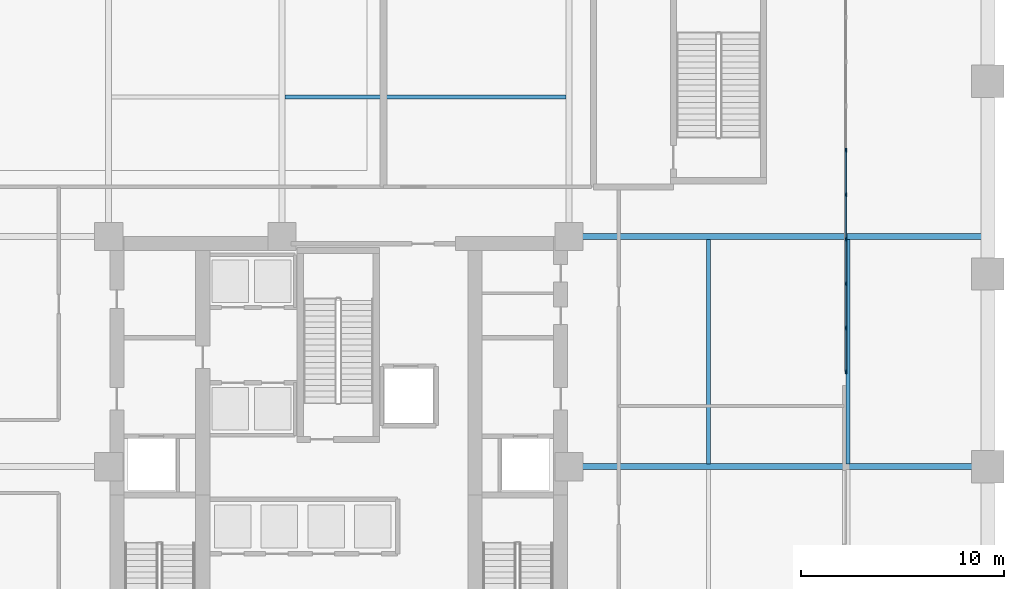
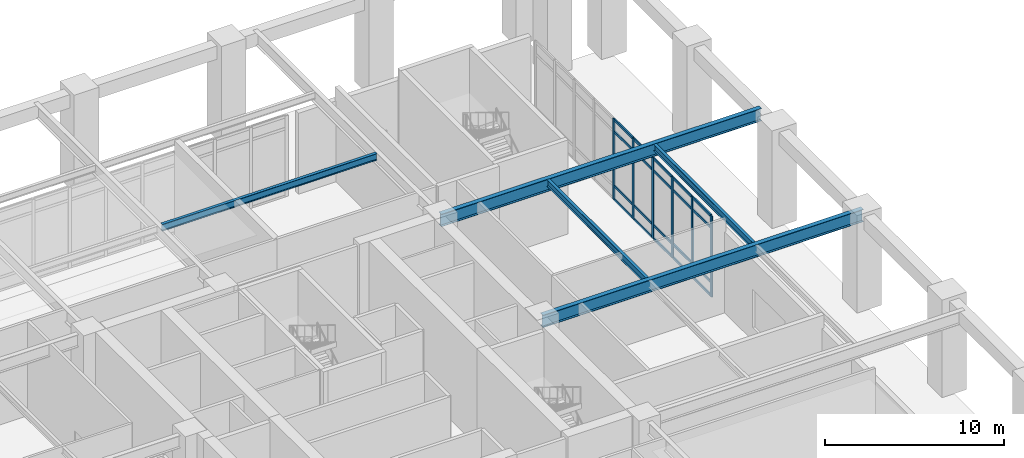
# One storey, part 5 of 17: 26 members, 5 beams, 1 element without a shape of its own.
"""IFC4 building model written with IfcOpenShell, lengths in metres."""

from ifc_helpers import new_model, si_unit, direction, frame, origin, origin_2d, place, context, subcontext, project, spatial, rectangle, i_section, extrude, material, layer, layer_set, material_profile, profile_set, type_object, element, aggregate, save


model = new_model("IFC4")

# Units and contexts
model_context = context("Model", 3, precision=1e-05, world=origin(), true_north=direction((0.0, 1.0)))
body_context = subcontext(model_context, "Body", "Model", "MODEL_VIEW")
ifc_project = project(units=[si_unit("LENGTHUNIT", "METRE"), si_unit("AREAUNIT", "SQUARE_METRE"), si_unit("VOLUMEUNIT", "CUBIC_METRE"), si_unit("PLANEANGLEUNIT", "RADIAN"), si_unit("MASSUNIT", "GRAM", prefix="KILO")], contexts=[model_context])

# Site, building, storey
site_placement = place(None, origin())
site = spatial("IfcSite", under=ifc_project, at=site_placement, CompositionType="ELEMENT")
building_placement = place(site_placement, origin())
building = spatial("IfcBuilding", under=site, at=building_placement, Name="Nhamokura Convention Tower", CompositionType="ELEMENT")
storey_placement = place(building_placement, origin())
storey = spatial("IfcBuildingStorey", under=building, at=storey_placement, Name="L00", CompositionType="ELEMENT", Elevation=0.0)

# Curtain wall, members
ifc_material_1 = material(Name="Anodised bronze aluminium AA6063-T6", Category="aluminium")
ifc_layer = layer(ifc_material_1, 0.179931640625)
ifc_layer_set = layer_set([ifc_layer], Name="CWSystem_PodiumConcourse")
curtain_wall_type = type_object("IfcCurtainWallType", Name="CWSystem_PodiumConcourse", PredefinedType="NOTDEFINED", material=ifc_layer_set)
curtain_wall_placement = place(storey_placement, origin())
curtain_wall = element("IfcCurtainWall", 1, at=curtain_wall_placement, inside=storey, type_object=curtain_wall_type, Name="L00 Curtain Wall ENV-L00-CW-EN", PredefinedType="NOTDEFINED")
ifc_material_2 = material(Name="Anodised bronze aluminium AA6063-T6", Category="aluminium")
ifc_material_profile_1 = material_profile(ifc_material_2, rectangle(XDim=0.077880859375, YDim=0.201904296875, at=origin_2d()))
ifc_profile_set_1 = profile_set([ifc_material_profile_1], Name="Anodised bronze aluminium AA6063-T6")
member_type_1 = type_object("IfcMemberType", Name="CWMullion_1", PredefinedType="MULLION", material=ifc_profile_set_1)
member_1_placement = place(storey_placement, frame((57.0, 47.594482421875, 0.0), z_axis=(0.0, 0.0, 1.0), x_axis=(1.0, 0.0, 0.0)))
member_1 = element("IfcMember", 2, at=member_1_placement, type_object=member_type_1, Name="CW-01 mullion 5", PredefinedType="MULLION", context=body_context, shape_type="SweptSolid", body=[
    extrude(rectangle(XDim=0.077880859375, YDim=0.201904296875, at=origin_2d()), origin(), (0.0, 0.0, 1.0), 5.510009765625),
])
member_2_placement = place(storey_placement, frame((57.0, 45.405517578125, 0.0), z_axis=(0.0, 0.0, 1.0), x_axis=(1.0, 0.0, 0.0)))
member_2 = element("IfcMember", 3, at=member_2_placement, type_object=member_type_1, Name="CW-01 mullion 6", PredefinedType="MULLION", context=body_context, shape_type="SweptSolid", body=[
    extrude(rectangle(XDim=0.077880859375, YDim=0.201904296875, at=origin_2d()), origin(), (0.0, 0.0, 1.0), 5.510009765625),
])
member_3_placement = place(storey_placement, frame((57.0, 43.216552734375, 0.0), z_axis=(0.0, 0.0, 1.0), x_axis=(1.0, 0.0, 0.0)))
member_3 = element("IfcMember", 4, at=member_3_placement, type_object=member_type_1, Name="CW-01 mullion 7", PredefinedType="MULLION", context=body_context, shape_type="SweptSolid", body=[
    extrude(rectangle(XDim=0.077880859375, YDim=0.201904296875, at=origin_2d()), origin(), (0.0, 0.0, 1.0), 5.510009765625),
])
member_4_placement = place(storey_placement, frame((57.0, 41.02783203125, 0.0), z_axis=(0.0, 0.0, 1.0), x_axis=(1.0, 0.0, 0.0)))
member_4 = element("IfcMember", 5, at=member_4_placement, type_object=member_type_1, Name="CW-01 mullion 8", PredefinedType="MULLION", context=body_context, shape_type="SweptSolid", body=[
    extrude(rectangle(XDim=0.077880859375, YDim=0.201904296875, at=origin_2d()), origin(), (0.0, 0.0, 1.0), 5.510009765625),
])
member_5_placement = place(storey_placement, frame((57.0, 38.8388671875, 0.0), z_axis=(0.0, 0.0, 1.0), x_axis=(1.0, 0.0, 0.0)))
member_5 = element("IfcMember", 6, at=member_5_placement, type_object=member_type_1, Name="CW-01 mullion 9", PredefinedType="MULLION", context=body_context, shape_type="SweptSolid", body=[
    extrude(rectangle(XDim=0.077880859375, YDim=0.201904296875, at=origin_2d()), origin(), (0.0, 0.0, 1.0), 5.510009765625),
])
member_6_placement = place(storey_placement, frame((57.0, 36.68896484375, 0.0), z_axis=(0.0, 0.0, 1.0), x_axis=(1.0, 0.0, 0.0)))
member_6 = element("IfcMember", 7, at=member_6_placement, type_object=member_type_1, Name="CW-01 mullion 10", PredefinedType="MULLION", context=body_context, shape_type="SweptSolid", body=[
    extrude(rectangle(XDim=0.077880859375, YDim=0.201904296875, at=origin_2d()), origin(), (0.0, 0.0, 1.0), 5.510009765625),
])
ifc_material_3 = material(Name="Anodised bronze aluminium AA6063-T6", Category="aluminium")
ifc_material_profile_2 = material_profile(ifc_material_3, rectangle(XDim=0.077880859375, YDim=0.172119140625, at=origin_2d()))
ifc_profile_set_2 = profile_set([ifc_material_profile_2], Name="Anodised bronze aluminium AA6063-T6")
member_type_2 = type_object("IfcMemberType", Name="CWTransom_1", PredefinedType="USERDEFINED", material=ifc_profile_set_2)
member_7_placement = place(storey_placement, frame((57.0, 47.555419921875, 0.0390625), z_axis=(0.0, -1.0, 0.0), x_axis=(1.0, 0.0, 0.0)))
member_7 = element("IfcMember", 8, at=member_7_placement, type_object=member_type_2, Name="CW-01 transom 5.1", ObjectType="TRANSOM", PredefinedType="USERDEFINED", context=body_context, shape_type="SweptSolid", body=[
    extrude(rectangle(XDim=0.077880859375, YDim=0.172119140625, at=origin_2d()), origin(), (0.0, 0.0, 1.0), 2.11083984375),
])
member_8_placement = place(storey_placement, frame((57.0, 47.555419921875, 0.949951171875), z_axis=(0.0, -1.0, 0.0), x_axis=(1.0, 0.0, 0.0)))
member_8 = element("IfcMember", 9, at=member_8_placement, type_object=member_type_2, Name="CW-01 transom 5.2", ObjectType="TRANSOM", PredefinedType="USERDEFINED", context=body_context, shape_type="SweptSolid", body=[
    extrude(rectangle(XDim=0.077880859375, YDim=0.172119140625, at=origin_2d()), origin(), (0.0, 0.0, 1.0), 2.11083984375),
])
member_9_placement = place(storey_placement, frame((57.0, 47.555419921875, 4.659912109375), z_axis=(0.0, -1.0, 0.0), x_axis=(1.0, 0.0, 0.0)))
member_9 = element("IfcMember", 10, at=member_9_placement, type_object=member_type_2, Name="CW-01 transom 5.3", ObjectType="TRANSOM", PredefinedType="USERDEFINED", context=body_context, shape_type="SweptSolid", body=[
    extrude(rectangle(XDim=0.077880859375, YDim=0.172119140625, at=origin_2d()), origin(), (0.0, 0.0, 1.0), 2.11083984375),
])
member_10_placement = place(storey_placement, frame((57.0, 47.555419921875, 5.470947265625), z_axis=(0.0, -1.0, 0.0), x_axis=(1.0, 0.0, 0.0)))
member_10 = element("IfcMember", 11, at=member_10_placement, type_object=member_type_2, Name="CW-01 transom 5.4", ObjectType="TRANSOM", PredefinedType="USERDEFINED", context=body_context, shape_type="SweptSolid", body=[
    extrude(rectangle(XDim=0.077880859375, YDim=0.172119140625, at=origin_2d()), origin(), (0.0, 0.0, 1.0), 2.11083984375),
])
member_11_placement = place(storey_placement, frame((57.0, 45.366455078125, 0.0390625), z_axis=(0.0, -1.0, 0.0), x_axis=(1.0, 0.0, 0.0)))
member_11 = element("IfcMember", 12, at=member_11_placement, type_object=member_type_2, Name="CW-01 transom 6.1", ObjectType="TRANSOM", PredefinedType="USERDEFINED", context=body_context, shape_type="SweptSolid", body=[
    extrude(rectangle(XDim=0.077880859375, YDim=0.172119140625, at=origin_2d()), origin(), (0.0, 0.0, 1.0), 2.11083984375),
])
member_12_placement = place(storey_placement, frame((57.0, 45.366455078125, 0.949951171875), z_axis=(0.0, -1.0, 0.0), x_axis=(1.0, 0.0, 0.0)))
member_12 = element("IfcMember", 13, at=member_12_placement, type_object=member_type_2, Name="CW-01 transom 6.2", ObjectType="TRANSOM", PredefinedType="USERDEFINED", context=body_context, shape_type="SweptSolid", body=[
    extrude(rectangle(XDim=0.077880859375, YDim=0.172119140625, at=origin_2d()), origin(), (0.0, 0.0, 1.0), 2.11083984375),
])
member_13_placement = place(storey_placement, frame((57.0, 45.366455078125, 4.659912109375), z_axis=(0.0, -1.0, 0.0), x_axis=(1.0, 0.0, 0.0)))
member_13 = element("IfcMember", 14, at=member_13_placement, type_object=member_type_2, Name="CW-01 transom 6.3", ObjectType="TRANSOM", PredefinedType="USERDEFINED", context=body_context, shape_type="SweptSolid", body=[
    extrude(rectangle(XDim=0.077880859375, YDim=0.172119140625, at=origin_2d()), origin(), (0.0, 0.0, 1.0), 2.11083984375),
])
member_14_placement = place(storey_placement, frame((57.0, 45.366455078125, 5.470947265625), z_axis=(0.0, -1.0, 0.0), x_axis=(1.0, 0.0, 0.0)))
member_14 = element("IfcMember", 15, at=member_14_placement, type_object=member_type_2, Name="CW-01 transom 6.4", ObjectType="TRANSOM", PredefinedType="USERDEFINED", context=body_context, shape_type="SweptSolid", body=[
    extrude(rectangle(XDim=0.077880859375, YDim=0.172119140625, at=origin_2d()), origin(), (0.0, 0.0, 1.0), 2.11083984375),
])
member_15_placement = place(storey_placement, frame((57.0, 43.177734375, 0.0390625), z_axis=(0.0, -1.0, 0.0), x_axis=(1.0, 0.0, 0.0)))
member_15 = element("IfcMember", 16, at=member_15_placement, type_object=member_type_2, Name="CW-01 transom 7.1", ObjectType="TRANSOM", PredefinedType="USERDEFINED", context=body_context, shape_type="SweptSolid", body=[
    extrude(rectangle(XDim=0.077880859375, YDim=0.172119140625, at=origin_2d()), origin(), (0.0, 0.0, 1.0), 2.11083984375),
])
member_16_placement = place(storey_placement, frame((57.0, 43.177734375, 0.949951171875), z_axis=(0.0, -1.0, 0.0), x_axis=(1.0, 0.0, 0.0)))
member_16 = element("IfcMember", 17, at=member_16_placement, type_object=member_type_2, Name="CW-01 transom 7.2", ObjectType="TRANSOM", PredefinedType="USERDEFINED", context=body_context, shape_type="SweptSolid", body=[
    extrude(rectangle(XDim=0.077880859375, YDim=0.172119140625, at=origin_2d()), origin(), (0.0, 0.0, 1.0), 2.11083984375),
])
member_17_placement = place(storey_placement, frame((57.0, 43.177734375, 4.659912109375), z_axis=(0.0, -1.0, 0.0), x_axis=(1.0, 0.0, 0.0)))
member_17 = element("IfcMember", 18, at=member_17_placement, type_object=member_type_2, Name="CW-01 transom 7.3", ObjectType="TRANSOM", PredefinedType="USERDEFINED", context=body_context, shape_type="SweptSolid", body=[
    extrude(rectangle(XDim=0.077880859375, YDim=0.172119140625, at=origin_2d()), origin(), (0.0, 0.0, 1.0), 2.11083984375),
])
member_18_placement = place(storey_placement, frame((57.0, 43.177734375, 5.470947265625), z_axis=(0.0, -1.0, 0.0), x_axis=(1.0, 0.0, 0.0)))
member_18 = element("IfcMember", 19, at=member_18_placement, type_object=member_type_2, Name="CW-01 transom 7.4", ObjectType="TRANSOM", PredefinedType="USERDEFINED", context=body_context, shape_type="SweptSolid", body=[
    extrude(rectangle(XDim=0.077880859375, YDim=0.172119140625, at=origin_2d()), origin(), (0.0, 0.0, 1.0), 2.11083984375),
])
member_19_placement = place(storey_placement, frame((57.0, 40.98876953125, 0.0390625), z_axis=(0.0, -1.0, 0.0), x_axis=(1.0, 0.0, 0.0)))
member_19 = element("IfcMember", 20, at=member_19_placement, type_object=member_type_2, Name="CW-01 transom 8.1", ObjectType="TRANSOM", PredefinedType="USERDEFINED", context=body_context, shape_type="SweptSolid", body=[
    extrude(rectangle(XDim=0.077880859375, YDim=0.172119140625, at=origin_2d()), origin(), (0.0, 0.0, 1.0), 2.11083984375),
])
member_20_placement = place(storey_placement, frame((57.0, 40.98876953125, 0.949951171875), z_axis=(0.0, -1.0, 0.0), x_axis=(1.0, 0.0, 0.0)))
member_20 = element("IfcMember", 21, at=member_20_placement, type_object=member_type_2, Name="CW-01 transom 8.2", ObjectType="TRANSOM", PredefinedType="USERDEFINED", context=body_context, shape_type="SweptSolid", body=[
    extrude(rectangle(XDim=0.077880859375, YDim=0.172119140625, at=origin_2d()), origin(), (0.0, 0.0, 1.0), 2.11083984375),
])
member_21_placement = place(storey_placement, frame((57.0, 40.98876953125, 4.659912109375), z_axis=(0.0, -1.0, 0.0), x_axis=(1.0, 0.0, 0.0)))
member_21 = element("IfcMember", 22, at=member_21_placement, type_object=member_type_2, Name="CW-01 transom 8.3", ObjectType="TRANSOM", PredefinedType="USERDEFINED", context=body_context, shape_type="SweptSolid", body=[
    extrude(rectangle(XDim=0.077880859375, YDim=0.172119140625, at=origin_2d()), origin(), (0.0, 0.0, 1.0), 2.11083984375),
])
member_22_placement = place(storey_placement, frame((57.0, 40.98876953125, 5.470947265625), z_axis=(0.0, -1.0, 0.0), x_axis=(1.0, 0.0, 0.0)))
member_22 = element("IfcMember", 23, at=member_22_placement, type_object=member_type_2, Name="CW-01 transom 8.4", ObjectType="TRANSOM", PredefinedType="USERDEFINED", context=body_context, shape_type="SweptSolid", body=[
    extrude(rectangle(XDim=0.077880859375, YDim=0.172119140625, at=origin_2d()), origin(), (0.0, 0.0, 1.0), 2.11083984375),
])
member_23_placement = place(storey_placement, frame((57.0, 38.7998046875, 0.0390625), z_axis=(0.0, -1.0, 0.0), x_axis=(1.0, 0.0, 0.0)))
member_23 = element("IfcMember", 24, at=member_23_placement, type_object=member_type_2, Name="CW-01 transom 9.1", ObjectType="TRANSOM", PredefinedType="USERDEFINED", context=body_context, shape_type="SweptSolid", body=[
    extrude(rectangle(XDim=0.077880859375, YDim=0.172119140625, at=origin_2d()), origin(), (0.0, 0.0, 1.0), 2.07177734375),
])
member_24_placement = place(storey_placement, frame((57.0, 38.7998046875, 0.949951171875), z_axis=(0.0, -1.0, 0.0), x_axis=(1.0, 0.0, 0.0)))
member_24 = element("IfcMember", 25, at=member_24_placement, type_object=member_type_2, Name="CW-01 transom 9.2", ObjectType="TRANSOM", PredefinedType="USERDEFINED", context=body_context, shape_type="SweptSolid", body=[
    extrude(rectangle(XDim=0.077880859375, YDim=0.172119140625, at=origin_2d()), origin(), (0.0, 0.0, 1.0), 2.07177734375),
])
member_25_placement = place(storey_placement, frame((57.0, 38.7998046875, 4.659912109375), z_axis=(0.0, -1.0, 0.0), x_axis=(1.0, 0.0, 0.0)))
member_25 = element("IfcMember", 26, at=member_25_placement, type_object=member_type_2, Name="CW-01 transom 9.3", ObjectType="TRANSOM", PredefinedType="USERDEFINED", context=body_context, shape_type="SweptSolid", body=[
    extrude(rectangle(XDim=0.077880859375, YDim=0.172119140625, at=origin_2d()), origin(), (0.0, 0.0, 1.0), 2.07177734375),
])
member_26_placement = place(storey_placement, frame((57.0, 38.7998046875, 5.470947265625), z_axis=(0.0, -1.0, 0.0), x_axis=(1.0, 0.0, 0.0)))
member_26 = element("IfcMember", 27, at=member_26_placement, type_object=member_type_2, Name="CW-01 transom 9.4", ObjectType="TRANSOM", PredefinedType="USERDEFINED", context=body_context, shape_type="SweptSolid", body=[
    extrude(rectangle(XDim=0.077880859375, YDim=0.172119140625, at=origin_2d()), origin(), (0.0, 0.0, 1.0), 2.07177734375),
])
aggregate(curtain_wall, [member_1, member_2, member_3, member_4, member_5, member_6, member_7, member_8, member_9, member_10, member_11, member_12, member_13, member_14, member_15, member_16, member_17, member_18, member_19, member_20, member_21, member_22, member_23, member_24, member_25, member_26])

# Beams
ifc_material_4 = material(Name="Steel ASTM A992 Gr 50", Category="steel")
ifc_material_profile_3 = material_profile(ifc_material_4, i_section(OverallWidth=0.19189453125, OverallDepth=0.462890625, WebThickness=0.010498046875, FlangeThickness=0.017578125, at=origin_2d()))
ifc_profile_set_3 = profile_set([ifc_material_profile_3], Name="Steel ASTM A992 Gr 50")
beam_type_1 = type_object("IfcBeamType", Name="FloorJoist_W460X89", PredefinedType="JOIST", material=ifc_profile_set_3)
beam_placement = place(storey_placement, frame((29.344970703125, 50.2333984375, 6.178466796875), z_axis=(1.0, 0.0, 0.0), x_axis=(0.0, 1.0, 0.0)))
element("IfcBeam", 28, at=beam_placement, inside=storey, type_object=beam_type_1, Name="L00 Composite Floor Joist N1B", PredefinedType="JOIST", context=body_context, shape_type="SweptSolid", body=[
    extrude(i_section(OverallWidth=0.19189453125, OverallDepth=0.462890625, WebThickness=0.010498046875, FlangeThickness=0.017578125, at=origin_2d()), origin(), (0.0, 0.0, 1.0), 13.860107421875),
])
for number, where, z_axis, x_axis, name in (
    (29, (50.2333984375, 32.14501953125, 6.178466796875), (0.0, 1.0, 0.0), (-1.0, 0.0, 0.0), "L00 Composite Floor Joist E1B"),
    (30, (57.11669921875, 32.14501953125, 6.178466796875), (0.0, 1.0, 0.0), (-1.0, 0.0, 0.0), "L00 Composite Floor Joist E2B"),
):
    element("IfcBeam", number, at=place(storey_placement, frame(where, z_axis=z_axis, x_axis=x_axis)), inside=storey, type_object=beam_type_1, Name=name, PredefinedType="JOIST", context=body_context, shape_type="SweptSolid", body=[
        extrude(i_section(OverallWidth=0.19189453125, OverallDepth=0.462890625, WebThickness=0.010498046875, FlangeThickness=0.017578125, at=origin_2d()), origin(), (0.0, 0.0, 1.0), 11.06005859375),
    ])
ifc_material_5 = material(Name="Steel ASTM A992 Gr 50", Category="steel")
ifc_material_profile_4 = material_profile(ifc_material_5, i_section(OverallWidth=0.2939453125, OverallDepth=0.85107421875, WebThickness=0.01611328125, FlangeThickness=0.02685546875, at=origin_2d()))
ifc_profile_set_4 = profile_set([ifc_material_profile_4], Name="Steel ASTM A992 Gr 50")
beam_type_2 = type_object("IfcBeamType", Name="HallGirder_W840X226", PredefinedType="BEAM", material=ifc_profile_set_4)
for number, where, z_axis, x_axis, name in (
    (31, (43.35009765625, 32.0, 5.984619140625), (1.0, 0.0, 0.0), (0.0, 1.0, 0.0), "L00 Primary Floor Girder PG-E2"),
    (32, (43.35009765625, 43.35009765625, 5.984619140625), (1.0, 0.0, 0.0), (0.0, 1.0, 0.0), "L00 Primary Floor Girder PG-E3"),
):
    element("IfcBeam", number, at=place(storey_placement, frame(where, z_axis=z_axis, x_axis=x_axis)), inside=storey, type_object=beam_type_2, Name=name, PredefinedType="BEAM", context=body_context, shape_type="SweptSolid", body=[
        extrude(i_section(OverallWidth=0.2939453125, OverallDepth=0.85107421875, WebThickness=0.01611328125, FlangeThickness=0.02685546875, at=origin_2d()), origin(), (0.0, 0.0, 1.0), 20.64990234375),
    ])

save(model, "model.ifc")
